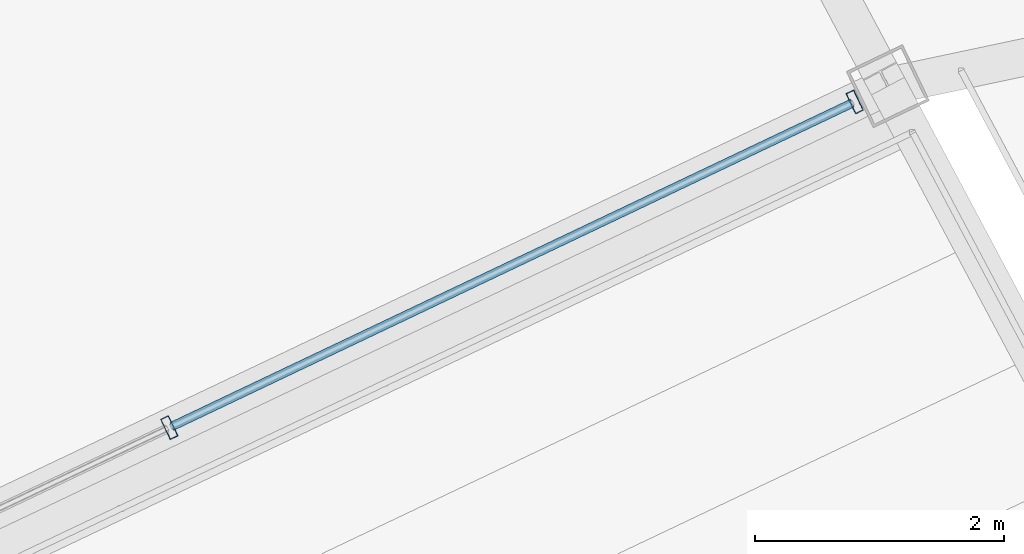
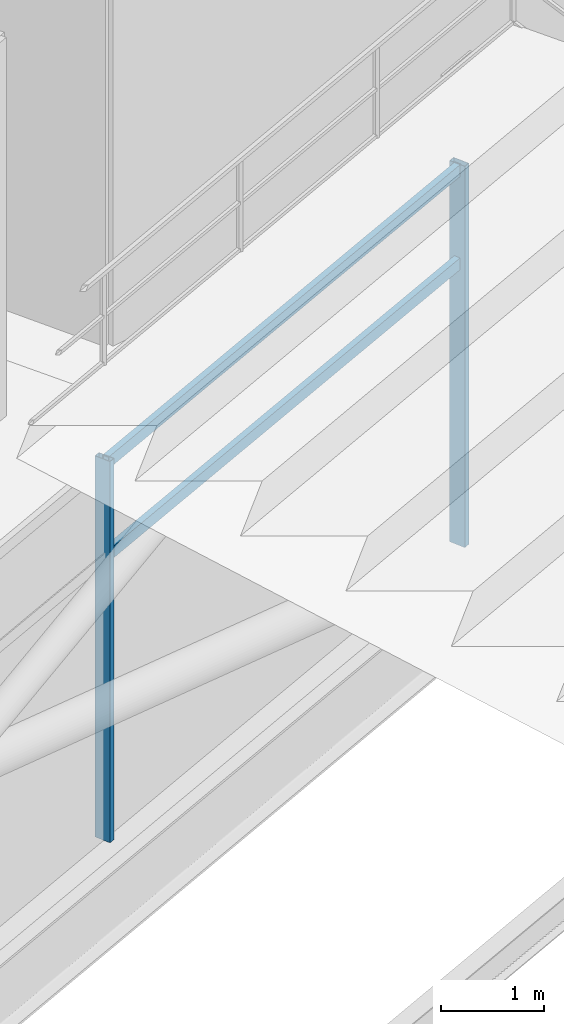
# One storey, part 90 of 186: 4 members, 1 element without a shape of its own.
"""IFC4 building model written with IfcOpenShell, lengths in metres."""

from ifc_helpers import new_model, si_unit, direction, frame, origin, origin_2d, place, context, subcontext, project, spatial, hollow_rectangle, extrude, material, layer, layer_set, material_profile, profile_set, type_object, element, aggregate, save


model = new_model("IFC4")

# Units and contexts
model_context = context("Model", 3, precision=1e-05, world=origin(), true_north=direction((0.0, 1.0)))
body_context = subcontext(model_context, "Body", "Model", "MODEL_VIEW")
ifc_project = project(units=[si_unit("LENGTHUNIT", "METRE"), si_unit("AREAUNIT", "SQUARE_METRE"), si_unit("VOLUMEUNIT", "CUBIC_METRE"), si_unit("PLANEANGLEUNIT", "RADIAN"), si_unit("MASSUNIT", "GRAM", prefix="KILO")], contexts=[model_context])

# Site, building, storey
site_placement = place(None, origin())
site = spatial("IfcSite", under=ifc_project, at=site_placement, CompositionType="ELEMENT")
building_placement = place(site_placement, origin())
building = spatial("IfcBuilding", under=site, at=building_placement, Name="Kazemori Nagisa Stadium", CompositionType="ELEMENT")
storey_placement = place(building_placement, frame((0.0, 0.0, 20.39990234375)))
storey = spatial("IfcBuildingStorey", under=building, at=storey_placement, Name="L04", CompositionType="ELEMENT", Elevation=20.39990234375)

# Curtain wall, members
ifc_material_1 = material(Name="Anodised aluminium 6063-T5", Category="aluminium")
ifc_layer = layer(ifc_material_1, 0.179931640625, Name="Anodised aluminium 6063-T5", Category="aluminium")
ifc_layer_set = layer_set([ifc_layer], Name="Anodised aluminium 6063-T5")
curtain_wall_type = type_object("IfcCurtainWallType", Name="CW_L04B_92", PredefinedType="USERDEFINED", material=ifc_layer_set)
curtain_wall_placement = place(storey_placement, origin())
curtain_wall = element("IfcCurtainWall", 1, at=curtain_wall_placement, inside=storey, type_object=curtain_wall_type, Name="Unitised curtain wall CW-L04B-92 L04", ObjectType="UNITISED CURTAIN WALL", PredefinedType="USERDEFINED")
ifc_material_2 = material(Name="Aluminium 6063-T5 anodised", Category="aluminium")
ifc_material_profile_1 = material_profile(ifc_material_2, hollow_rectangle(XDim=0.070068359375, YDim=0.179931640625, WallThickness=0.00390625, at=origin_2d()), Name="ALU-MULL-70x180x4")
ifc_profile_set_1 = profile_set([ifc_material_profile_1], Name="Aluminium 6063-T5 anodised")
member_type_1 = type_object("IfcMemberType", Name="Mullion_M01", PredefinedType="MULLION", material=ifc_profile_set_1)
member_1_placement = place(storey_placement, frame((85.92138671875, 171.07275390625, 0.0), z_axis=(0.0, 0.0, 1.0), x_axis=(-0.903215892654, -0.429186499388, 0.0)))
member_1 = element("IfcMember", 2, at=member_1_placement, type_object=member_type_1, Name="Curtain wall mullion CW-L04B-92-M1", PredefinedType="MULLION", context=body_context, shape_type="SweptSolid", body=[
    extrude(hollow_rectangle(XDim=0.070068359375, YDim=0.179931640625, WallThickness=0.00390625, at=origin_2d()), origin(), (0.0, 0.0, 1.0), 4.530029296875),
])
member_2_placement = place(storey_placement, frame((80.425048828125, 168.4609375, 0.0), z_axis=(0.0, 0.0, 1.0), x_axis=(-0.903215892654, -0.429186499388, 0.0)))
member_2 = element("IfcMember", 3, at=member_2_placement, type_object=member_type_1, Name="Curtain wall mullion CW-L04B-92-M2", PredefinedType="MULLION", context=body_context, shape_type="SweptSolid", body=[
    extrude(hollow_rectangle(XDim=0.070068359375, YDim=0.179931640625, WallThickness=0.00390625, at=origin_2d()), origin(), (0.0, 0.0, 1.0), 4.530029296875),
])
ifc_material_profile_2 = material_profile(ifc_material_2, hollow_rectangle(XDim=0.070068359375, YDim=0.139892578125, WallThickness=0.00390625, at=origin_2d()), Name="ALU-TRAN-70x140x4")
ifc_profile_set_2 = profile_set([ifc_material_profile_2], Name="Aluminium 6063-T5 anodised")
member_type_2 = type_object("IfcMemberType", Name="Transom_T01", PredefinedType="USERDEFINED", material=ifc_profile_set_2)
member_3_placement = place(storey_placement, frame((85.9033203125, 171.06396484375, 3.352294921875), z_axis=(-0.903220759111, -0.429176257861, 0.0), x_axis=(0.429176257861, -0.903220759111, 0.0)))
member_3 = element("IfcMember", 4, at=member_3_placement, type_object=member_type_2, Name="Curtain wall transom CW-L04B-92-T1-mid", ObjectType="TRANSOM", PredefinedType="USERDEFINED", context=body_context, shape_type="SweptSolid", body=[
    extrude(hollow_rectangle(XDim=0.070068359375, YDim=0.139892578125, WallThickness=0.00390625, at=origin_2d()), origin(), (0.0, 0.0, 1.0), 6.045166015625),
])
member_4_placement = place(storey_placement, frame((85.9033203125, 171.06396484375, 4.460205078125), z_axis=(-0.903220759111, -0.429176257861, 0.0), x_axis=(0.429176257861, -0.903220759111, 0.0)))
member_4 = element("IfcMember", 5, at=member_4_placement, type_object=member_type_2, Name="Curtain wall transom CW-L04B-92-T1-head", ObjectType="TRANSOM", PredefinedType="USERDEFINED", context=body_context, shape_type="SweptSolid", body=[
    extrude(hollow_rectangle(XDim=0.070068359375, YDim=0.139892578125, WallThickness=0.00390625, at=origin_2d()), origin(), (0.0, 0.0, 1.0), 6.045166015625),
])
aggregate(curtain_wall, [member_1, member_2, member_3, member_4])

save(model, "model.ifc")
